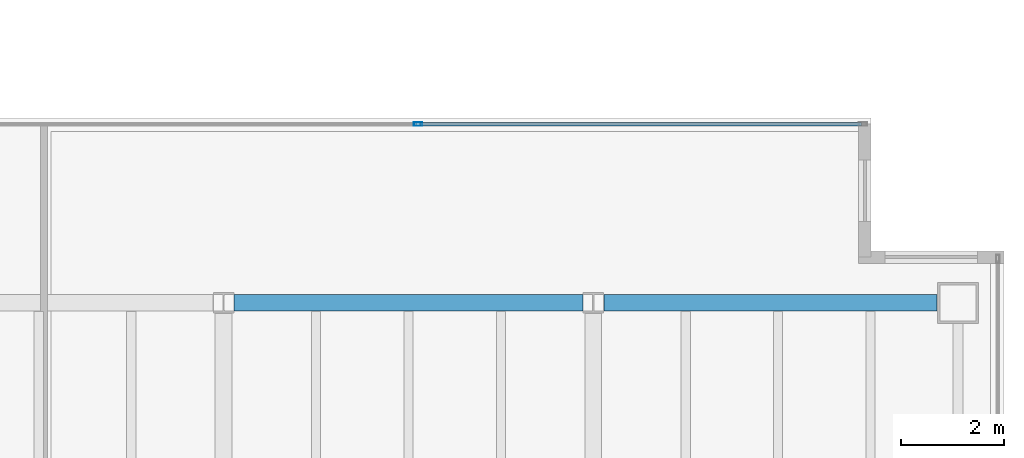
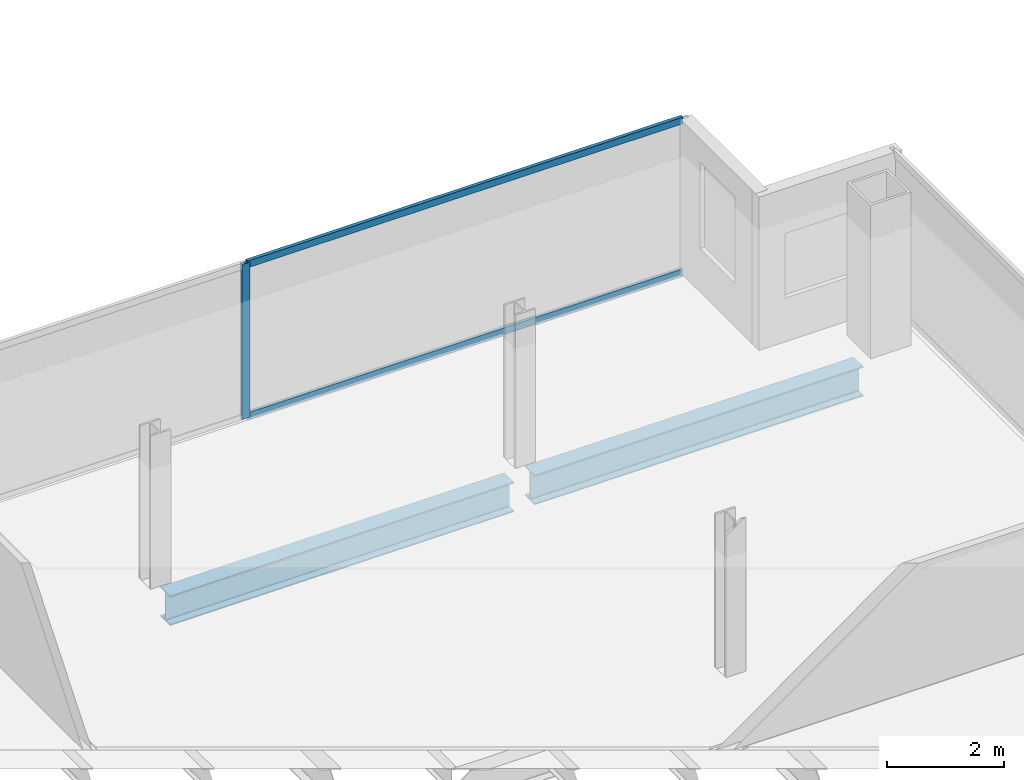
# One storey, part 15 of 23: 3 members, 2 beams, 1 element without a shape of its own.
"""IFC4 building model written with IfcOpenShell, lengths in metres."""

from ifc_helpers import new_model, si_unit, direction, frame, origin, origin_2d, place, context, subcontext, project, spatial, hollow_rectangle, i_section, extrude, material, material_profile, profile_set, type_object, element, aggregate, save


model = new_model("IFC4")

# Units and contexts
model_context = context("Model", 3, precision=1e-05, world=origin(), true_north=direction((0.0, 1.0)))
body_context = subcontext(model_context, "Body", "Model", "MODEL_VIEW")
ifc_project = project(units=[si_unit("LENGTHUNIT", "METRE"), si_unit("AREAUNIT", "SQUARE_METRE"), si_unit("VOLUMEUNIT", "CUBIC_METRE"), si_unit("PLANEANGLEUNIT", "RADIAN"), si_unit("MASSUNIT", "GRAM", prefix="KILO")], contexts=[model_context])

# Site, building, storey
site_placement = place(None, origin())
site = spatial("IfcSite", under=ifc_project, at=site_placement, CompositionType="ELEMENT")
building_placement = place(site_placement, origin())
building = spatial("IfcBuilding", under=site, at=building_placement, Name="Cobrela Telecom Tower", CompositionType="ELEMENT")
storey_placement = place(building_placement, frame((0.0, 0.0, 197.75)))
storey = spatial("IfcBuildingStorey", under=building, at=storey_placement, Name="L50", CompositionType="ELEMENT", Elevation=197.75)

# Beams
ifc_material_1 = material(Name="Steel ASTM A992 Grade 50", Category="steel")
ifc_material_profile_1 = material_profile(ifc_material_1, i_section(OverallWidth=0.327880859375, OverallDepth=0.6220703125, WebThickness=0.015380859375, FlangeThickness=0.0244140625, FilletRadius=0.014892578125, at=origin_2d()), Name="W24X131")
ifc_profile_set_1 = profile_set([ifc_material_profile_1], Name="Steel ASTM A992 Grade 50")
beam_type = type_object("IfcBeamType", Name="BM-GIRD-06", PredefinedType="USERDEFINED", material=ifc_profile_set_1)
beam_1_placement = place(storey_placement, frame((29.00439453125, 21.60009765625, -0.571044921875), z_axis=(1.0, 0.0, 0.0), x_axis=(0.0, 1.0, 0.0)))
element("IfcBeam", 1, at=beam_1_placement, inside=storey, type_object=beam_type, Name="L50 Primary Girder X17", ObjectType="GIRDER", PredefinedType="USERDEFINED", context=body_context, shape_type="SweptSolid", body=[
    extrude(i_section(OverallWidth=0.327880859375, OverallDepth=0.6220703125, WebThickness=0.015380859375, FlangeThickness=0.0244140625, FilletRadius=0.014892578125, at=origin_2d()), origin(), (0.0, 0.0, 1.0), 6.791015625),
])
beam_2_placement = place(storey_placement, frame((36.20458984375, 21.60009765625, -0.571044921875), z_axis=(1.0, 0.0, 0.0), x_axis=(0.0, 1.0, 0.0)))
element("IfcBeam", 2, at=beam_2_placement, inside=storey, type_object=beam_type, Name="L50 Primary Girder X18", ObjectType="GIRDER", PredefinedType="USERDEFINED", context=body_context, shape_type="SweptSolid", body=[
    extrude(i_section(OverallWidth=0.327880859375, OverallDepth=0.6220703125, WebThickness=0.015380859375, FlangeThickness=0.0244140625, FilletRadius=0.014892578125, at=origin_2d()), origin(), (0.0, 0.0, 1.0), 6.490478515625),
])

# Curtain wall, members
ifc_material_2 = material(Name="Anodized Bronze Aluminium 6063-T6", Category="aluminium")
curtain_wall_type = type_object("IfcCurtainWallType", Name="CW-SYS-OFF-LO", PredefinedType="USERDEFINED", material=ifc_material_2)
curtain_wall_placement = place(storey_placement, origin())
curtain_wall = element("IfcCurtainWall", 3, at=curtain_wall_placement, inside=storey, type_object=curtain_wall_type, Name="L50 Unitised Bronze Curtain Wall 11", ObjectType="UNITISED CURTAIN WALL", PredefinedType="USERDEFINED")
ifc_material_profile_2 = material_profile(ifc_material_2, hollow_rectangle(XDim=0.070068359375, YDim=0.159912109375, WallThickness=0.00390625, at=origin_2d()), Name="ALU 70x160x4")
ifc_profile_set_2 = profile_set([ifc_material_profile_2], Name="Anodized Bronze Aluminium 6063-T6")
member_type_1 = type_object("IfcMemberType", Name="CW-SYS-OFF-LO-MUL", PredefinedType="MULLION", material=ifc_profile_set_2)
member_1_placement = place(storey_placement, frame((32.5849609375, 25.080078125, 0.0), z_axis=(0.0, 0.0, 1.0), x_axis=(0.0, 1.0, 0.0)))
member_1 = element("IfcMember", 4, at=member_1_placement, type_object=member_type_1, Name="CW-OFF-LO mullion 2", PredefinedType="MULLION", context=body_context, shape_type="SweptSolid", body=[
    extrude(hollow_rectangle(XDim=0.070068359375, YDim=0.159912109375, WallThickness=0.00390625, at=origin_2d()), origin(), (0.0, 0.0, 1.0), 3.239990234375),
])
ifc_material_profile_3 = material_profile(ifc_material_2, hollow_rectangle(XDim=0.070068359375, YDim=0.139892578125, WallThickness=0.00390625, at=origin_2d()), Name="ALU 70x140x4")
ifc_profile_set_3 = profile_set([ifc_material_profile_3], Name="Anodized Bronze Aluminium 6063-T6")
member_type_2 = type_object("IfcMemberType", Name="CW-SYS-OFF-LO-TRN", PredefinedType="USERDEFINED", material=ifc_profile_set_3)
member_2_placement = place(storey_placement, frame((32.6201171875, 25.080078125, 0.034912109375), z_axis=(1.0, 0.0, 0.0), x_axis=(0.0, 1.0, 0.0)))
member_2 = element("IfcMember", 5, at=member_2_placement, type_object=member_type_2, Name="CW-OFF-LO transom 2.1", ObjectType="TRANSOM", PredefinedType="USERDEFINED", context=body_context, shape_type="SweptSolid", body=[
    extrude(hollow_rectangle(XDim=0.070068359375, YDim=0.139892578125, WallThickness=0.00390625, at=origin_2d()), origin(), (0.0, 0.0, 1.0), 8.599853515625),
])
member_3_placement = place(storey_placement, frame((32.6201171875, 25.080078125, 3.205078125), z_axis=(1.0, 0.0, 0.0), x_axis=(0.0, 1.0, 0.0)))
member_3 = element("IfcMember", 6, at=member_3_placement, type_object=member_type_2, Name="CW-OFF-LO transom 2.2", ObjectType="TRANSOM", PredefinedType="USERDEFINED", context=body_context, shape_type="SweptSolid", body=[
    extrude(hollow_rectangle(XDim=0.070068359375, YDim=0.139892578125, WallThickness=0.00390625, at=origin_2d()), origin(), (0.0, 0.0, 1.0), 8.599853515625),
])
aggregate(curtain_wall, [member_1, member_2, member_3])

save(model, "model.ifc")
